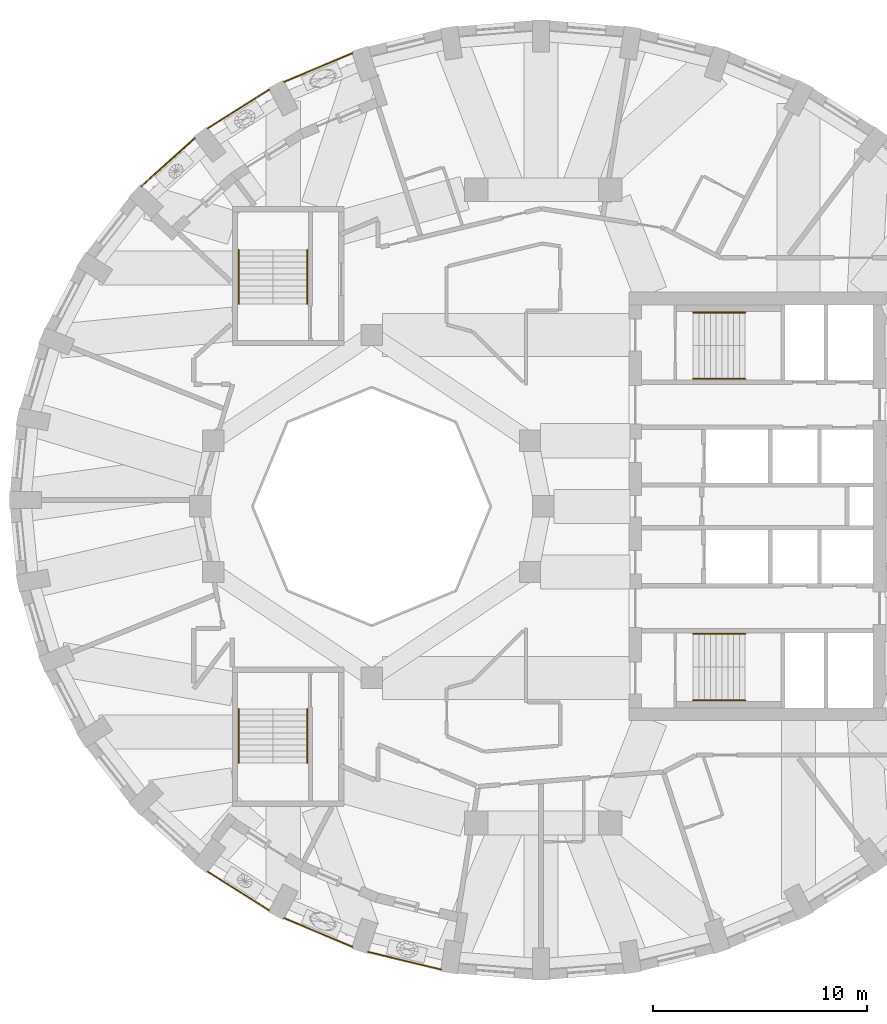
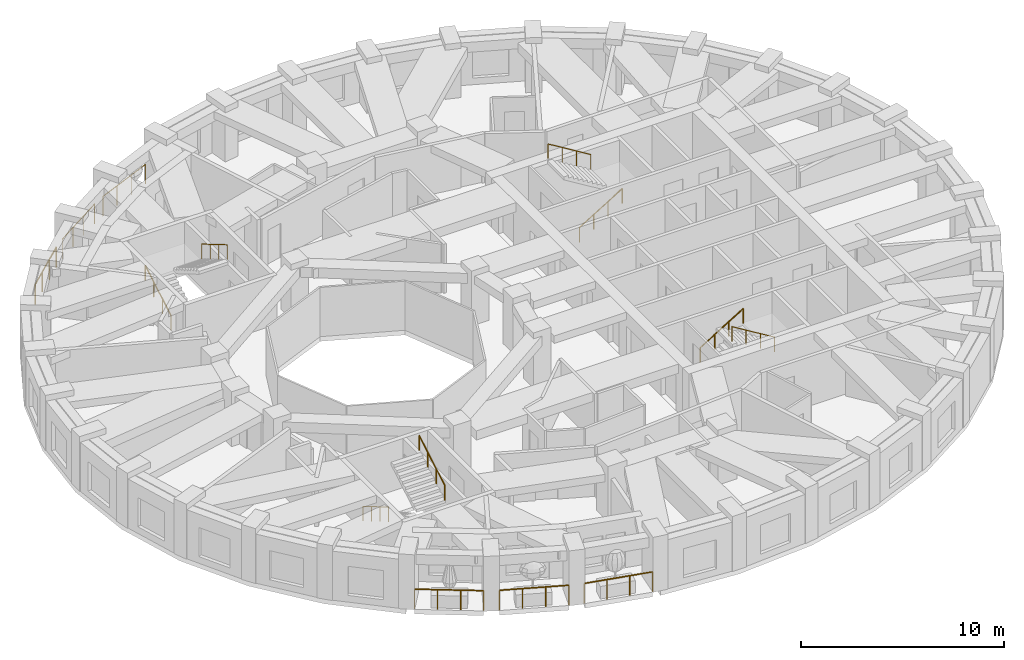
# One storey, part 10 of 12: 14 railings.
"""IFC4 building model written with IfcOpenShell, lengths in metres."""

from ifc_helpers import new_model, si_unit, direction, frame, origin, origin_2d, place, context, subcontext, project, spatial, circle, extrude, material, type_object, element, save


model = new_model("IFC4")

# Units and contexts
model_context = context("Model", 3, precision=1e-05, world=origin(), true_north=direction((0.0, 1.0)))
body_context = subcontext(model_context, "Body", "Model", "MODEL_VIEW")
ifc_project = project(units=[si_unit("LENGTHUNIT", "METRE"), si_unit("AREAUNIT", "SQUARE_METRE"), si_unit("VOLUMEUNIT", "CUBIC_METRE"), si_unit("PLANEANGLEUNIT", "RADIAN"), si_unit("MASSUNIT", "GRAM", prefix="KILO")], contexts=[model_context])

# Site, building, storey
site_placement = place(None, origin())
site = spatial("IfcSite", under=ifc_project, at=site_placement, CompositionType="ELEMENT")
building_placement = place(site_placement, origin())
building = spatial("IfcBuilding", under=site, at=building_placement, Name="Taillehof Tower", CompositionType="ELEMENT")
storey_placement = place(building_placement, frame((0.0, 0.0, 256.39990234375)))
storey = spatial("IfcBuildingStorey", under=building, at=storey_placement, Name="L73", CompositionType="ELEMENT", Elevation=256.39990234375)

# Railings
ifc_material_1 = material(Name="Stainless steel balustrade", Category="steel")
railing_type_1 = type_object("IfcRailingType", Name="Balcony guard 1200", PredefinedType="GUARDRAIL", material=ifc_material_1)
railing_1_placement = place(storey_placement, frame((-8.892578125, 21.152099609375, 0.0)))
element("IfcRailing", 1, at=railing_1_placement, inside=storey, type_object=railing_type_1, Name="Balcony guard L73 bay 12", PredefinedType="GUARDRAIL", context=body_context, shape_type="SweptSolid", body=[
    extrude(circle(Radius=0.02392578125, at=origin_2d()), frame((0.0, 0.0, 1.17578125), z_axis=(-0.922020278687, -0.38714158352, 0.0), x_axis=(0.38714158352, -0.922020278687, 0.0)), (0.0, 0.0, 1.0), 3.47021484375),
    extrude(circle(Radius=0.02099609375, at=origin_2d()), origin(), (0.0, 0.0, 1.0), 1.15185546875),
    extrude(circle(Radius=0.02099609375, at=origin_2d()), frame((-1.066650390625, -0.44775390625, 0.0)), (0.0, 0.0, 1.0), 1.15185546875),
    extrude(circle(Radius=0.02099609375, at=origin_2d()), frame((-2.133056640625, -0.895751953125, 0.0)), (0.0, 0.0, 1.0), 1.15185546875),
    extrude(circle(Radius=0.02099609375, at=origin_2d()), frame((-3.19970703125, -1.343505859375, 0.0)), (0.0, 0.0, 1.0), 1.15185546875),
])
railing_2_placement = place(storey_placement, frame((-12.7666015625, 19.457763671875, 0.0)))
element("IfcRailing", 2, at=railing_2_placement, inside=storey, type_object=railing_type_1, Name="Balcony guard L73 bay 13", PredefinedType="GUARDRAIL", context=body_context, shape_type="SweptSolid", body=[
    extrude(circle(Radius=0.02392578125, at=origin_2d()), frame((0.0, 0.0, 1.17578125), z_axis=(-0.845913673661, -0.533319844665, 0.0), x_axis=(0.533319844665, -0.845913673661, 0.0)), (0.0, 0.0, 1.0), 3.412353515625),
    extrude(circle(Radius=0.02099609375, at=origin_2d()), origin(), (0.0, 0.0, 1.0), 1.15185546875),
    extrude(circle(Radius=0.02099609375, at=origin_2d()), frame((-0.962158203125, -0.606689453125, 0.0)), (0.0, 0.0, 1.0), 1.15185546875),
    extrude(circle(Radius=0.02099609375, at=origin_2d()), frame((-1.92431640625, -1.213134765625, 0.0)), (0.0, 0.0, 1.0), 1.15185546875),
    extrude(circle(Radius=0.02099609375, at=origin_2d()), frame((-2.886474609375, -1.81982421875, 0.0)), (0.0, 0.0, 1.0), 1.15185546875),
])
railing_3_placement = place(storey_placement, frame((-16.259033203125, 17.179443359375, 0.0)))
element("IfcRailing", 3, at=railing_3_placement, inside=storey, type_object=railing_type_1, Name="Balcony guard L73 bay 14", PredefinedType="GUARDRAIL", context=body_context, shape_type="SweptSolid", body=[
    extrude(circle(Radius=0.02392578125, at=origin_2d()), frame((0.0, 0.0, 1.17578125), z_axis=(-0.743174379556, -0.669097781771, 0.0), x_axis=(0.669097781771, -0.743174379556, 0.0)), (0.0, 0.0, 1.0), 3.34521484375),
    extrude(circle(Radius=0.02099609375, at=origin_2d()), origin(), (0.0, 0.0, 1.0), 1.15185546875),
    extrude(circle(Radius=0.02099609375, at=origin_2d()), frame((-0.82861328125, -0.74609375, 0.0)), (0.0, 0.0, 1.0), 1.15185546875),
    extrude(circle(Radius=0.02099609375, at=origin_2d()), frame((-1.657470703125, -1.4921875, 0.0)), (0.0, 0.0, 1.0), 1.15185546875),
    extrude(circle(Radius=0.02099609375, at=origin_2d()), frame((-2.486083984375, -2.23828125, 0.0)), (0.0, 0.0, 1.0), 1.15185546875),
])
railing_4_placement = place(storey_placement, frame((-15.653076171875, -17.0380859375, 0.0)))
element("IfcRailing", 4, at=railing_4_placement, inside=storey, type_object=railing_type_1, Name="Balcony guard L73 bay 24", PredefinedType="GUARDRAIL", context=body_context, shape_type="SweptSolid", body=[
    extrude(circle(Radius=0.02392578125, at=origin_2d()), frame((0.0, 0.0, 1.17578125), z_axis=(0.845945951754, -0.533268644035, 0.0), x_axis=(0.533268644035, 0.845945951754, 0.0)), (0.0, 0.0, 1.0), 3.412109375),
    extrude(circle(Radius=0.02099609375, at=origin_2d()), origin(), (0.0, 0.0, 1.0), 1.15185546875),
    extrude(circle(Radius=0.02099609375, at=origin_2d()), frame((0.962158203125, -0.6064453125, 0.0)), (0.0, 0.0, 1.0), 1.15185546875),
    extrude(circle(Radius=0.02099609375, at=origin_2d()), frame((1.92431640625, -1.213134765625, 0.0)), (0.0, 0.0, 1.0), 1.15185546875),
    extrude(circle(Radius=0.02099609375, at=origin_2d()), frame((2.886474609375, -1.819580078125, 0.0)), (0.0, 0.0, 1.0), 1.15185546875),
])
railing_5_placement = place(storey_placement, frame((-12.09228515625, -19.208740234375, 0.0)))
element("IfcRailing", 5, at=railing_5_placement, inside=storey, type_object=railing_type_1, Name="Balcony guard L73 bay 25", PredefinedType="GUARDRAIL", context=body_context, shape_type="SweptSolid", body=[
    extrude(circle(Radius=0.02392578125, at=origin_2d()), frame((0.0, 0.0, 1.17578125), z_axis=(0.92204538939, -0.387081774182, 0.0), x_axis=(0.387081774182, 0.92204538939, 0.0)), (0.0, 0.0, 1.0), 3.47021484375),
    extrude(circle(Radius=0.02099609375, at=origin_2d()), origin(), (0.0, 0.0, 1.0), 1.15185546875),
    extrude(circle(Radius=0.02099609375, at=origin_2d()), frame((1.066650390625, -0.44775390625, 0.0)), (0.0, 0.0, 1.0), 1.15185546875),
    extrude(circle(Radius=0.02099609375, at=origin_2d()), frame((2.133056640625, -0.8955078125, 0.0)), (0.0, 0.0, 1.0), 1.15185546875),
    extrude(circle(Radius=0.02099609375, at=origin_2d()), frame((3.19970703125, -1.34326171875, 0.0)), (0.0, 0.0, 1.0), 1.15185546875),
])
railing_6_placement = place(storey_placement, frame((-8.17041015625, -20.7890625, 0.0)))
element("IfcRailing", 6, at=railing_6_placement, inside=storey, type_object=railing_type_1, Name="Balcony guard L73 bay 26", PredefinedType="GUARDRAIL", context=body_context, shape_type="SweptSolid", body=[
    extrude(circle(Radius=0.02392578125, at=origin_2d()), frame((0.0, 0.0, 1.17578125), z_axis=(0.972120457901, -0.234482014938, 0.0), x_axis=(0.234482014938, 0.972120457901, 0.0)), (0.0, 0.0, 1.0), 3.512939453125),
    extrude(circle(Radius=0.02099609375, at=origin_2d()), origin(), (0.0, 0.0, 1.0), 1.15185546875),
    extrude(circle(Radius=0.02099609375, at=origin_2d()), frame((1.138427734375, -0.274658203125, 0.0)), (0.0, 0.0, 1.0), 1.15185546875),
    extrude(circle(Radius=0.02099609375, at=origin_2d()), frame((2.276611328125, -0.549072265625, 0.0)), (0.0, 0.0, 1.0), 1.15185546875),
    extrude(circle(Radius=0.02099609375, at=origin_2d()), frame((3.4150390625, -0.82373046875, 0.0)), (0.0, 0.0, 1.0), 1.15185546875),
])
ifc_material_2 = material(Name="Stainless steel", Category="steel")
railing_type_2 = type_object("IfcRailingType", Name="Stair handrail 900", PredefinedType="HANDRAIL", material=ifc_material_2)
railing_7_placement = place(storey_placement, frame((7.0, 5.949951171875, 0.1650390625)))
element("IfcRailing", 7, at=railing_7_placement, inside=storey, type_object=railing_type_2, Name="Stair S1 handrail", PredefinedType="HANDRAIL", context=body_context, shape_type="SweptSolid", body=[
    extrude(circle(Radius=0.02392578125, at=origin_2d()), frame((0.0, 0.0, 0.8759765625), z_axis=(0.853258522278, 0.0, 0.521488153423), x_axis=(0.0, 1.0, 0.0)), (0.0, 0.0, 1.0), 2.847900390625),
    extrude(circle(Radius=0.02099609375, at=origin_2d()), origin(), (0.0, 0.0, 1.0), 0.851806640625),
    extrude(circle(Radius=0.02099609375, at=origin_2d()), frame((0.81005859375, 0.0, 0.4951171875)), (0.0, 0.0, 1.0), 0.851806640625),
    extrude(circle(Radius=0.02099609375, at=origin_2d()), frame((1.619873046875, 0.0, 0.989990234375)), (0.0, 0.0, 1.0), 0.851806640625),
    extrude(circle(Radius=0.02099609375, at=origin_2d()), frame((2.429931640625, 0.0, 1.485107421875)), (0.0, 0.0, 1.0), 0.851806640625),
])
railing_8_placement = place(storey_placement, frame((9.429931640625, 9.050048828125, 1.815185546875)))
element("IfcRailing", 8, at=railing_8_placement, inside=storey, type_object=railing_type_2, Name="Stair S1 handrail", PredefinedType="HANDRAIL", context=body_context, shape_type="SweptSolid", body=[
    extrude(circle(Radius=0.02392578125, at=origin_2d()), frame((0.0, 0.0, 0.8759765625), z_axis=(-0.853296667938, 0.0, 0.521425734392), x_axis=(0.0, -1.0, 0.0)), (0.0, 0.0, 1.0), 2.84765625),
    extrude(circle(Radius=0.02099609375, at=origin_2d()), origin(), (0.0, 0.0, 1.0), 0.851806640625),
    extrude(circle(Radius=0.02099609375, at=origin_2d()), frame((-0.81005859375, 0.0, 0.494873046875)), (0.0, 0.0, 1.0), 0.851806640625),
    extrude(circle(Radius=0.02099609375, at=origin_2d()), frame((-1.619873046875, 0.0, 0.989990234375)), (0.0, 0.0, 1.0), 0.851806640625),
    extrude(circle(Radius=0.02099609375, at=origin_2d()), frame((-2.429931640625, 0.0, 1.48486328125)), (0.0, 0.0, 1.0), 0.851806640625),
])
railing_9_placement = place(storey_placement, frame((7.0, -5.949951171875, 0.1650390625)))
element("IfcRailing", 9, at=railing_9_placement, inside=storey, type_object=railing_type_2, Name="Stair S2 handrail", PredefinedType="HANDRAIL", context=body_context, shape_type="SweptSolid", body=[
    extrude(circle(Radius=0.02392578125, at=origin_2d()), frame((0.0, 0.0, 0.8759765625), z_axis=(0.853258522278, 0.0, 0.521488153423), x_axis=(0.0, 1.0, 0.0)), (0.0, 0.0, 1.0), 2.847900390625),
    extrude(circle(Radius=0.02099609375, at=origin_2d()), origin(), (0.0, 0.0, 1.0), 0.851806640625),
    extrude(circle(Radius=0.02099609375, at=origin_2d()), frame((0.81005859375, 0.0, 0.4951171875)), (0.0, 0.0, 1.0), 0.851806640625),
    extrude(circle(Radius=0.02099609375, at=origin_2d()), frame((1.619873046875, 0.0, 0.989990234375)), (0.0, 0.0, 1.0), 0.851806640625),
    extrude(circle(Radius=0.02099609375, at=origin_2d()), frame((2.429931640625, 0.0, 1.485107421875)), (0.0, 0.0, 1.0), 0.851806640625),
])
railing_10_placement = place(storey_placement, frame((9.429931640625, -9.050048828125, 1.815185546875)))
element("IfcRailing", 10, at=railing_10_placement, inside=storey, type_object=railing_type_2, Name="Stair S2 handrail", PredefinedType="HANDRAIL", context=body_context, shape_type="SweptSolid", body=[
    extrude(circle(Radius=0.02392578125, at=origin_2d()), frame((0.0, 0.0, 0.8759765625), z_axis=(-0.853296667938, 0.0, 0.521425734392), x_axis=(0.0, -1.0, 0.0)), (0.0, 0.0, 1.0), 2.84765625),
    extrude(circle(Radius=0.02099609375, at=origin_2d()), origin(), (0.0, 0.0, 1.0), 0.851806640625),
    extrude(circle(Radius=0.02099609375, at=origin_2d()), frame((-0.81005859375, 0.0, 0.494873046875)), (0.0, 0.0, 1.0), 0.851806640625),
    extrude(circle(Radius=0.02099609375, at=origin_2d()), frame((-1.619873046875, 0.0, 0.989990234375)), (0.0, 0.0, 1.0), 0.851806640625),
    extrude(circle(Radius=0.02099609375, at=origin_2d()), frame((-2.429931640625, 0.0, 1.48486328125)), (0.0, 0.0, 1.0), 0.851806640625),
])
railing_11_placement = place(storey_placement, frame((-14.199951171875, 9.449951171875, 0.1650390625)))
element("IfcRailing", 11, at=railing_11_placement, inside=storey, type_object=railing_type_2, Name="Stair S3 handrail", PredefinedType="HANDRAIL", context=body_context, shape_type="SweptSolid", body=[
    extrude(circle(Radius=0.02392578125, at=origin_2d()), frame((0.0, 0.0, 0.8759765625), z_axis=(0.0, 0.86152411907, 0.507716645641), x_axis=(-1.0, 0.0, 0.0)), (0.0, 0.0, 1.0), 2.925048828125),
    extrude(circle(Radius=0.02099609375, at=origin_2d()), origin(), (0.0, 0.0, 1.0), 0.851806640625),
    extrude(circle(Radius=0.02099609375, at=origin_2d()), frame((0.0, 0.840087890625, 0.4951171875)), (0.0, 0.0, 1.0), 0.851806640625),
    extrude(circle(Radius=0.02099609375, at=origin_2d()), frame((0.0, 1.679931640625, 0.989990234375)), (0.0, 0.0, 1.0), 0.851806640625),
    extrude(circle(Radius=0.02099609375, at=origin_2d()), frame((0.0, 2.52001953125, 1.485107421875)), (0.0, 0.0, 1.0), 0.851806640625),
])
railing_12_placement = place(storey_placement, frame((-11.0, 11.969970703125, 1.815185546875)))
element("IfcRailing", 12, at=railing_12_placement, inside=storey, type_object=railing_type_2, Name="Stair S3 handrail", PredefinedType="HANDRAIL", context=body_context, shape_type="SweptSolid", body=[
    extrude(circle(Radius=0.02392578125, at=origin_2d()), frame((0.0, 0.0, 0.8759765625), z_axis=(0.0, -0.861560626758, 0.507654692109), x_axis=(1.0, 0.0, 0.0)), (0.0, 0.0, 1.0), 2.925048828125),
    extrude(circle(Radius=0.02099609375, at=origin_2d()), origin(), (0.0, 0.0, 1.0), 0.851806640625),
    extrude(circle(Radius=0.02099609375, at=origin_2d()), frame((0.0, -0.840087890625, 0.494873046875)), (0.0, 0.0, 1.0), 0.851806640625),
    extrude(circle(Radius=0.02099609375, at=origin_2d()), frame((0.0, -1.679931640625, 0.989990234375)), (0.0, 0.0, 1.0), 0.851806640625),
    extrude(circle(Radius=0.02099609375, at=origin_2d()), frame((0.0, -2.52001953125, 1.48486328125)), (0.0, 0.0, 1.0), 0.851806640625),
])
railing_13_placement = place(storey_placement, frame((-14.199951171875, -9.449951171875, 0.1650390625)))
element("IfcRailing", 13, at=railing_13_placement, inside=storey, type_object=railing_type_2, Name="Stair S4 handrail", PredefinedType="HANDRAIL", context=body_context, shape_type="SweptSolid", body=[
    extrude(circle(Radius=0.02392578125, at=origin_2d()), frame((0.0, 0.0, 0.8759765625), z_axis=(0.0, -0.86152411907, 0.507716645641), x_axis=(1.0, 0.0, 0.0)), (0.0, 0.0, 1.0), 2.925048828125),
    extrude(circle(Radius=0.02099609375, at=origin_2d()), origin(), (0.0, 0.0, 1.0), 0.851806640625),
    extrude(circle(Radius=0.02099609375, at=origin_2d()), frame((0.0, -0.840087890625, 0.4951171875)), (0.0, 0.0, 1.0), 0.851806640625),
    extrude(circle(Radius=0.02099609375, at=origin_2d()), frame((0.0, -1.679931640625, 0.989990234375)), (0.0, 0.0, 1.0), 0.851806640625),
    extrude(circle(Radius=0.02099609375, at=origin_2d()), frame((0.0, -2.52001953125, 1.485107421875)), (0.0, 0.0, 1.0), 0.851806640625),
])
railing_14_placement = place(storey_placement, frame((-11.0, -11.969970703125, 1.815185546875)))
element("IfcRailing", 14, at=railing_14_placement, inside=storey, type_object=railing_type_2, Name="Stair S4 handrail", PredefinedType="HANDRAIL", context=body_context, shape_type="SweptSolid", body=[
    extrude(circle(Radius=0.02392578125, at=origin_2d()), frame((0.0, 0.0, 0.8759765625), z_axis=(0.0, 0.861560626758, 0.507654692109), x_axis=(-1.0, 0.0, 0.0)), (0.0, 0.0, 1.0), 2.925048828125),
    extrude(circle(Radius=0.02099609375, at=origin_2d()), origin(), (0.0, 0.0, 1.0), 0.851806640625),
    extrude(circle(Radius=0.02099609375, at=origin_2d()), frame((0.0, 0.840087890625, 0.494873046875)), (0.0, 0.0, 1.0), 0.851806640625),
    extrude(circle(Radius=0.02099609375, at=origin_2d()), frame((0.0, 1.679931640625, 0.989990234375)), (0.0, 0.0, 1.0), 0.851806640625),
    extrude(circle(Radius=0.02099609375, at=origin_2d()), frame((0.0, 2.52001953125, 1.48486328125)), (0.0, 0.0, 1.0), 0.851806640625),
])

save(model, "model.ifc")
